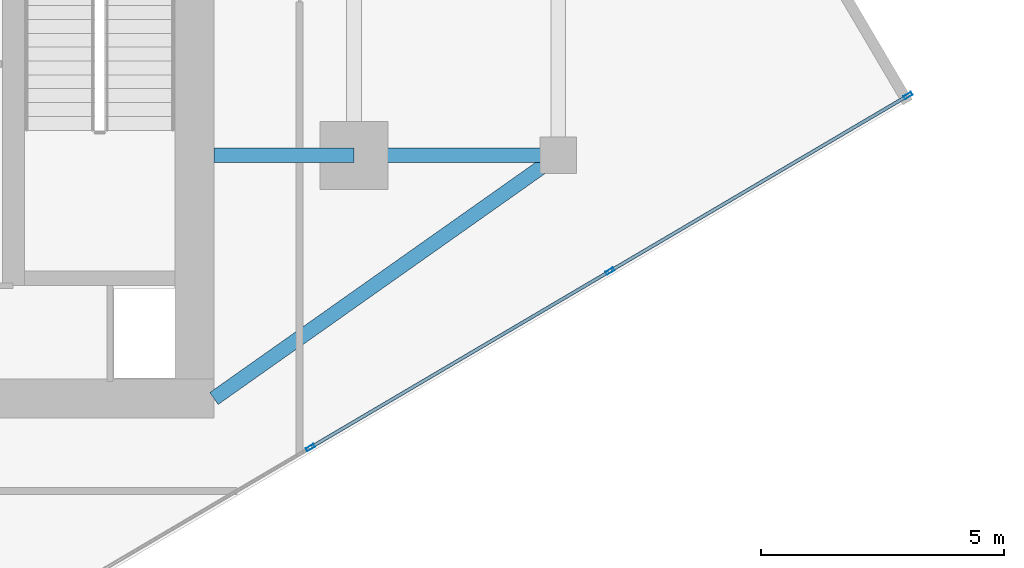
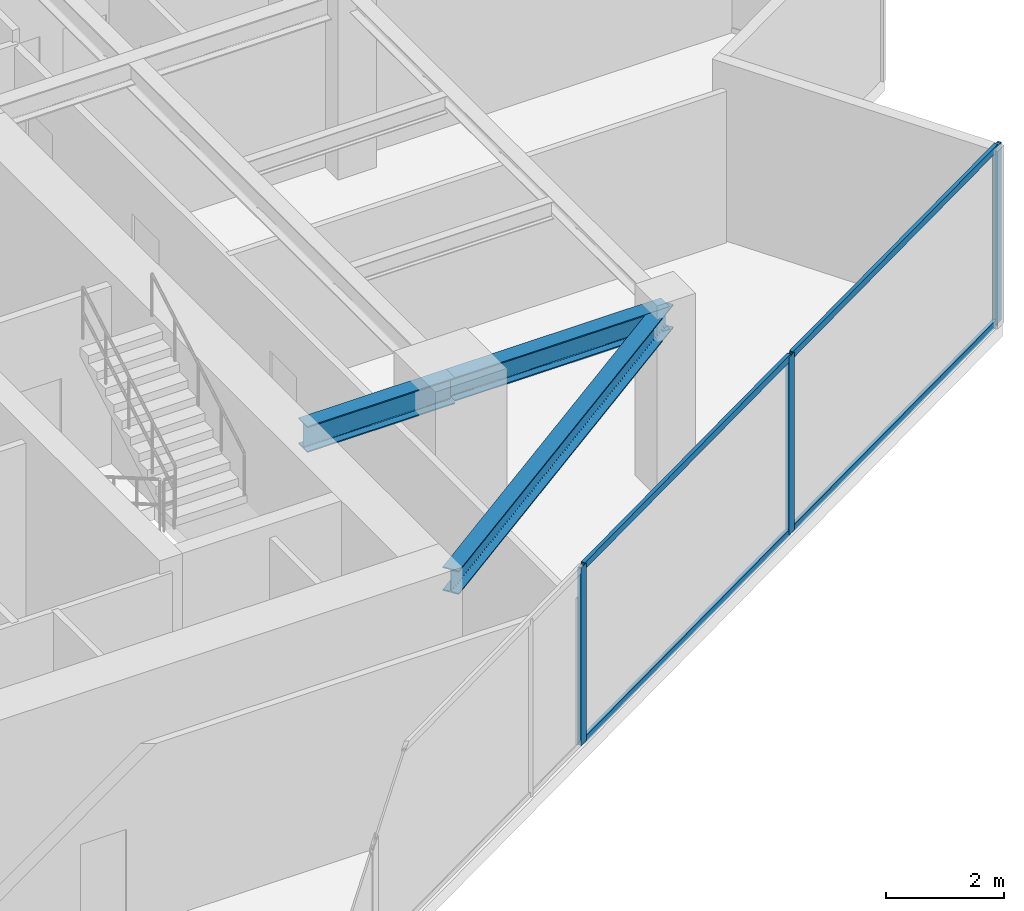
# One storey, part 8 of 20: 7 members, 3 beams, 1 element without a shape of its own.
"""IFC4 building model written with IfcOpenShell, lengths in metres."""

from ifc_helpers import new_model, si_unit, direction, frame, origin, origin_2d, place, context, subcontext, project, spatial, hollow_rectangle, i_section, extrude, source, transform, mapped, material, material_profile, profile_set, type_object, type_shapes, element, aggregate, save


model = new_model("IFC4")

# Units and contexts
model_context = context("Model", 3, precision=1e-05, world=origin(), true_north=direction((0.0, 1.0)))
body_context = subcontext(model_context, "Body", "Model", "MODEL_VIEW")
ifc_project = project(units=[si_unit("LENGTHUNIT", "METRE"), si_unit("AREAUNIT", "SQUARE_METRE"), si_unit("VOLUMEUNIT", "CUBIC_METRE"), si_unit("PLANEANGLEUNIT", "RADIAN"), si_unit("MASSUNIT", "GRAM", prefix="KILO")], contexts=[model_context])

# Site, building, storey
site_placement = place(None, origin())
site = spatial("IfcSite", under=ifc_project, at=site_placement, CompositionType="ELEMENT")
building_placement = place(site_placement, origin())
building = spatial("IfcBuilding", under=site, at=building_placement, Name="Krantzveldt Concourse Tower", CompositionType="ELEMENT")
storey_placement = place(building_placement, frame((0.0, 0.0, 299.0)))
storey = spatial("IfcBuildingStorey", under=building, at=storey_placement, Name="L73", CompositionType="ELEMENT", Elevation=299.0)

# Beams
ifc_material_1 = material(Name="Steel S355JR", Category="steel")
ifc_material_profile_1 = material_profile(ifc_material_1, i_section(OverallWidth=0.300048828125, OverallDepth=0.489990234375, WebThickness=0.011962890625, FlangeThickness=0.02294921875, FilletRadius=0.027099609375, at=origin_2d()), Name="Steel S355JR", Category="steel")
ifc_profile_set_1 = profile_set([ifc_material_profile_1], Name="Steel S355JR - HEA 500")
beam_type_1 = type_object("IfcBeamType", Name="BM-B-HEA500", PredefinedType="BEAM", material=ifc_profile_set_1)
shared_shape_1 = source(origin(), body_context, "Body", "SweptSolid", [
    extrude(i_section(OverallWidth=0.300048828125, OverallDepth=0.489990234375, WebThickness=0.011962890625, FlangeThickness=0.02294921875, FilletRadius=0.027099609375, at=origin_2d()), origin(), (0.0, 0.0, 1.0), 4.199951171875),
])
beam_1_placement = place(storey_placement, frame((46.800048828125, 15.89990234375, 3.425048828125), z_axis=(1.0, 0.0, 0.0), x_axis=(0.0, 1.0, 0.0)))
element("IfcBeam", 1, at=beam_1_placement, inside=storey, type_object=beam_type_1, Name="L73 Tower Girder BR-RR1", PredefinedType="BEAM", context=body_context, shape_type="MappedRepresentation", body=[
    mapped(shared_shape_1, transform((0.0, 0.0, 0.0), x_axis=(1.0, 0.0, 0.0), y_axis=(0.0, 1.0, 0.0), z_axis=(0.0, 0.0, 1.0), scale=1.0)),
])
shared_shape_2 = source(origin(), body_context, "Body", "SweptSolid", [
    extrude(i_section(OverallWidth=0.300048828125, OverallDepth=0.489990234375, WebThickness=0.011962890625, FlangeThickness=0.02294921875, FilletRadius=0.027099609375, at=origin_2d()), origin(), (0.0, 0.0, 1.0), 8.667724609375),
])
type_shapes(beam_type_1, [shared_shape_1, shared_shape_2])
beam_2_placement = place(storey_placement, frame((51.0, 15.89990234375, 3.425048828125), z_axis=(-0.81684294656, -0.576860122261, 0.0), x_axis=(0.576860122261, -0.81684294656, 0.0)))
element("IfcBeam", 2, at=beam_2_placement, inside=storey, type_object=beam_type_1, Name="L73 Tower Girder BR-CSE", PredefinedType="BEAM", context=body_context, shape_type="MappedRepresentation", body=[
    mapped(shared_shape_2, transform((0.0, 0.0, 0.0), x_axis=(1.0, 0.0, 0.0), y_axis=(0.0, 1.0, 0.0), z_axis=(0.0, 0.0, 1.0), scale=1.0)),
])
ifc_material_profile_2 = material_profile(ifc_material_1, i_section(OverallWidth=0.300048828125, OverallDepth=0.5400390625, WebThickness=0.012451171875, FlangeThickness=0.02392578125, FilletRadius=0.027099609375, at=origin_2d()), Name="Steel S355JR", Category="steel")
ifc_profile_set_2 = profile_set([ifc_material_profile_2], Name="Steel S355JR - HEA 550")
beam_type_2 = type_object("IfcBeamType", Name="BM-B-HEA550", PredefinedType="BEAM", material=ifc_profile_set_2)
shared_shape_3 = source(origin(), body_context, "Body", "SweptSolid", [
    extrude(i_section(OverallWidth=0.300048828125, OverallDepth=0.5400390625, WebThickness=0.012451171875, FlangeThickness=0.02392578125, FilletRadius=0.027099609375, at=origin_2d()), origin(), (0.0, 0.0, 1.0), 2.880126953125),
])
type_shapes(beam_type_2, [shared_shape_3])
beam_3_placement = place(storey_placement, frame((43.919921875, 15.89990234375, 3.39990234375), z_axis=(1.0, 0.0, 0.0), x_axis=(0.0, 1.0, 0.0)))
element("IfcBeam", 3, at=beam_3_placement, inside=storey, type_object=beam_type_2, Name="L73 Tower Girder BG-CE1", PredefinedType="BEAM", context=body_context, shape_type="MappedRepresentation", body=[
    mapped(shared_shape_3, transform((0.0, 0.0, 0.0), x_axis=(1.0, 0.0, 0.0), y_axis=(0.0, 1.0, 0.0), z_axis=(0.0, 0.0, 1.0), scale=1.0)),
])

# Curtain wall, members
ifc_material_2 = material(Name="Anodised aluminium 6063-T6", Category="aluminium")
curtain_wall_type = type_object("IfcCurtainWallType", Name="CW4", PredefinedType="USERDEFINED", material=ifc_material_2)
curtain_wall_placement = place(storey_placement, origin())
curtain_wall = element("IfcCurtainWall", 4, at=curtain_wall_placement, inside=storey, type_object=curtain_wall_type, Name="CW-L73-F07", ObjectType="UNITISED CURTAIN WALL", PredefinedType="USERDEFINED")
ifc_material_profile_3 = material_profile(ifc_material_2, hollow_rectangle(XDim=0.070068359375, YDim=0.179931640625, WallThickness=0.0048828125, at=origin_2d()), Name="Anodised aluminium 6063-T6", Category="aluminium")
ifc_profile_set_3 = profile_set([ifc_material_profile_3], Name="Anodised aluminium 6063-T6 - ALU-MULL 180x70x5")
member_type_1 = type_object("IfcMemberType", Name="CW-MUL-180", PredefinedType="MULLION", material=ifc_profile_set_3)
shared_shape_4 = source(origin(), body_context, "Body", "SweptSolid", [
    extrude(hollow_rectangle(XDim=0.070068359375, YDim=0.179931640625, WallThickness=0.0048828125, at=origin_2d()), origin(), (0.0, 0.0, 1.0), 3.669921875),
])
type_shapes(member_type_1, [shared_shape_4])
member_1_placement = place(storey_placement, frame((45.902099609375, 9.8896484375, 0.0), z_axis=(0.0, 0.0, 1.0), x_axis=(-0.507538344223, 0.861629171479, 0.0)))
member_1 = element("IfcMember", 5, at=member_1_placement, type_object=member_type_1, Name="CW-Z56 mullion 3", PredefinedType="MULLION", context=body_context, shape_type="MappedRepresentation", body=[
    mapped(shared_shape_4, transform((0.0, 0.0, 0.0), x_axis=(1.0, 0.0, 0.0), y_axis=(0.0, 1.0, 0.0), z_axis=(0.0, 0.0, 1.0), scale=1.0)),
])
member_2_placement = place(storey_placement, frame((52.062744140625, 13.5185546875, 0.0), z_axis=(0.0, 0.0, 1.0), x_axis=(-0.507538344223, 0.861629171479, 0.0)))
member_2 = element("IfcMember", 6, at=member_2_placement, type_object=member_type_1, Name="CW-Z56 mullion 4", PredefinedType="MULLION", context=body_context, shape_type="MappedRepresentation", body=[
    mapped(shared_shape_4, transform((0.0, 0.0, 0.0), x_axis=(1.0, 0.0, 0.0), y_axis=(0.0, 1.0, 0.0), z_axis=(0.0, 0.0, 1.0), scale=1.0)),
])
member_3_placement = place(storey_placement, frame((58.193115234375, 17.129638671875, 0.0), z_axis=(0.0, 0.0, 1.0), x_axis=(-0.507538344223, 0.861629171479, 0.0)))
member_3 = element("IfcMember", 7, at=member_3_placement, type_object=member_type_1, Name="CW-Z56 mullion 5", PredefinedType="MULLION", context=body_context, shape_type="MappedRepresentation", body=[
    mapped(shared_shape_4, transform((0.0, 0.0, 0.0), x_axis=(1.0, 0.0, 0.0), y_axis=(0.0, 1.0, 0.0), z_axis=(0.0, 0.0, 1.0), scale=1.0)),
])
ifc_material_profile_4 = material_profile(ifc_material_2, hollow_rectangle(XDim=0.070068359375, YDim=0.139892578125, WallThickness=0.0048828125, at=origin_2d()), Name="Anodised aluminium 6063-T6", Category="aluminium")
ifc_profile_set_4 = profile_set([ifc_material_profile_4], Name="Anodised aluminium 6063-T6 - ALU-TRAN 140x70x5")
member_type_2 = type_object("IfcMemberType", Name="CW-TRN-150", PredefinedType="USERDEFINED", material=ifc_profile_set_4)
shared_shape_5 = source(origin(), body_context, "Body", "SweptSolid", [
    extrude(hollow_rectangle(XDim=0.070068359375, YDim=0.139892578125, WallThickness=0.0048828125, at=origin_2d()), origin(), (0.0, 0.0, 1.0), 7.044921875),
])
member_4_placement = place(storey_placement, frame((52.0927734375, 13.536376953125, 0.034912109375), z_axis=(0.861644546402, 0.507512241878, 0.0), x_axis=(-0.507512241878, 0.861644546402, 0.0)))
member_4 = element("IfcMember", 8, at=member_4_placement, type_object=member_type_2, Name="CW-Z56 transom 4.1", ObjectType="TRANSOM", PredefinedType="USERDEFINED", context=body_context, shape_type="MappedRepresentation", body=[
    mapped(shared_shape_5, transform((0.0, 0.0, 0.0), x_axis=(1.0, 0.0, 0.0), y_axis=(0.0, 1.0, 0.0), z_axis=(0.0, 0.0, 1.0), scale=1.0)),
])
member_5_placement = place(storey_placement, frame((52.0927734375, 13.536376953125, 3.635009765625), z_axis=(0.861644546402, 0.507512241878, 0.0), x_axis=(-0.507512241878, 0.861644546402, 0.0)))
member_5 = element("IfcMember", 9, at=member_5_placement, type_object=member_type_2, Name="CW-Z56 transom 4.2", ObjectType="TRANSOM", PredefinedType="USERDEFINED", context=body_context, shape_type="MappedRepresentation", body=[
    mapped(shared_shape_5, transform((0.0, 0.0, 0.0), x_axis=(1.0, 0.0, 0.0), y_axis=(0.0, 1.0, 0.0), z_axis=(0.0, 0.0, 1.0), scale=1.0)),
])
shared_shape_6 = source(origin(), body_context, "Body", "SweptSolid", [
    extrude(hollow_rectangle(XDim=0.070068359375, YDim=0.139892578125, WallThickness=0.0048828125, at=origin_2d()), origin(), (0.0, 0.0, 1.0), 7.079833984375),
])
type_shapes(member_type_2, [shared_shape_5, shared_shape_6])
member_6_placement = place(storey_placement, frame((45.93212890625, 9.907470703125, 0.034912109375), z_axis=(0.861636215127, 0.507526386291, 0.0), x_axis=(-0.507526386291, 0.861636215127, 0.0)))
member_6 = element("IfcMember", 10, at=member_6_placement, type_object=member_type_2, Name="CW-Z56 transom 3.1", ObjectType="TRANSOM", PredefinedType="USERDEFINED", context=body_context, shape_type="MappedRepresentation", body=[
    mapped(shared_shape_6, transform((0.0, 0.0, 0.0), x_axis=(1.0, 0.0, 0.0), y_axis=(0.0, 1.0, 0.0), z_axis=(0.0, 0.0, 1.0), scale=1.0)),
])
member_7_placement = place(storey_placement, frame((45.93212890625, 9.907470703125, 3.635009765625), z_axis=(0.861636215127, 0.507526386291, 0.0), x_axis=(-0.507526386291, 0.861636215127, 0.0)))
member_7 = element("IfcMember", 11, at=member_7_placement, type_object=member_type_2, Name="CW-Z56 transom 3.2", ObjectType="TRANSOM", PredefinedType="USERDEFINED", context=body_context, shape_type="MappedRepresentation", body=[
    mapped(shared_shape_6, transform((0.0, 0.0, 0.0), x_axis=(1.0, 0.0, 0.0), y_axis=(0.0, 1.0, 0.0), z_axis=(0.0, 0.0, 1.0), scale=1.0)),
])
aggregate(curtain_wall, [member_1, member_2, member_3, member_6, member_7, member_4, member_5])

save(model, "model.ifc")
